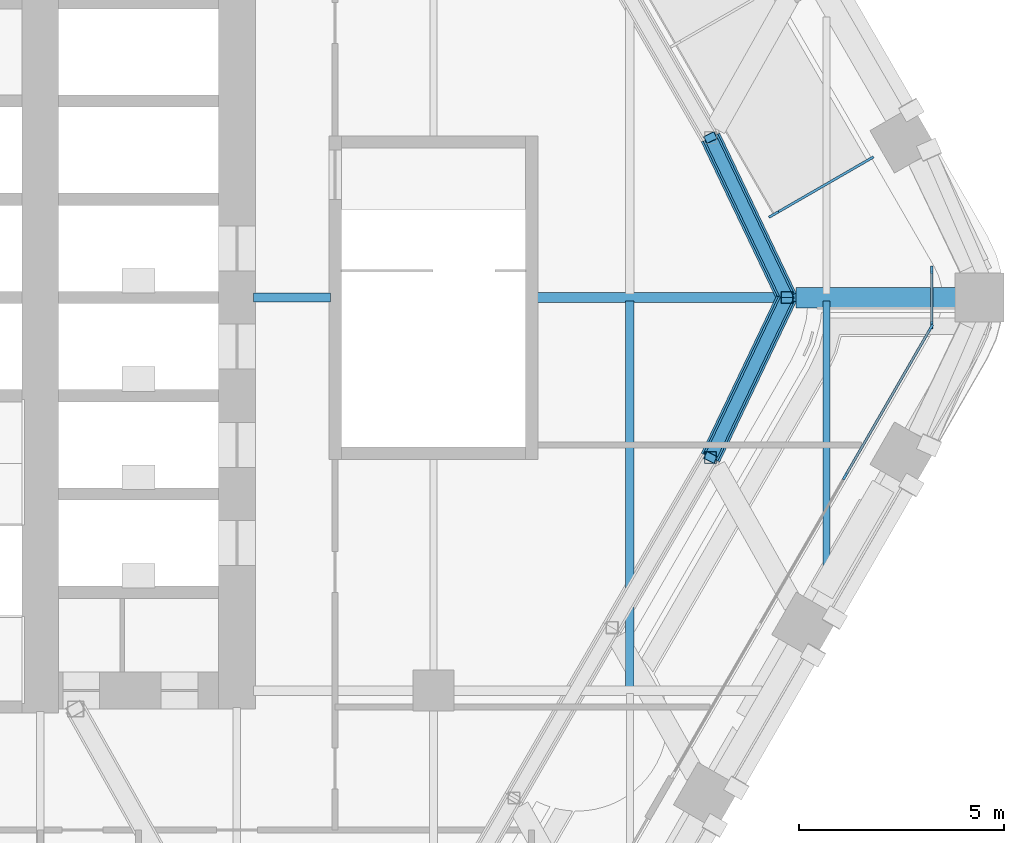
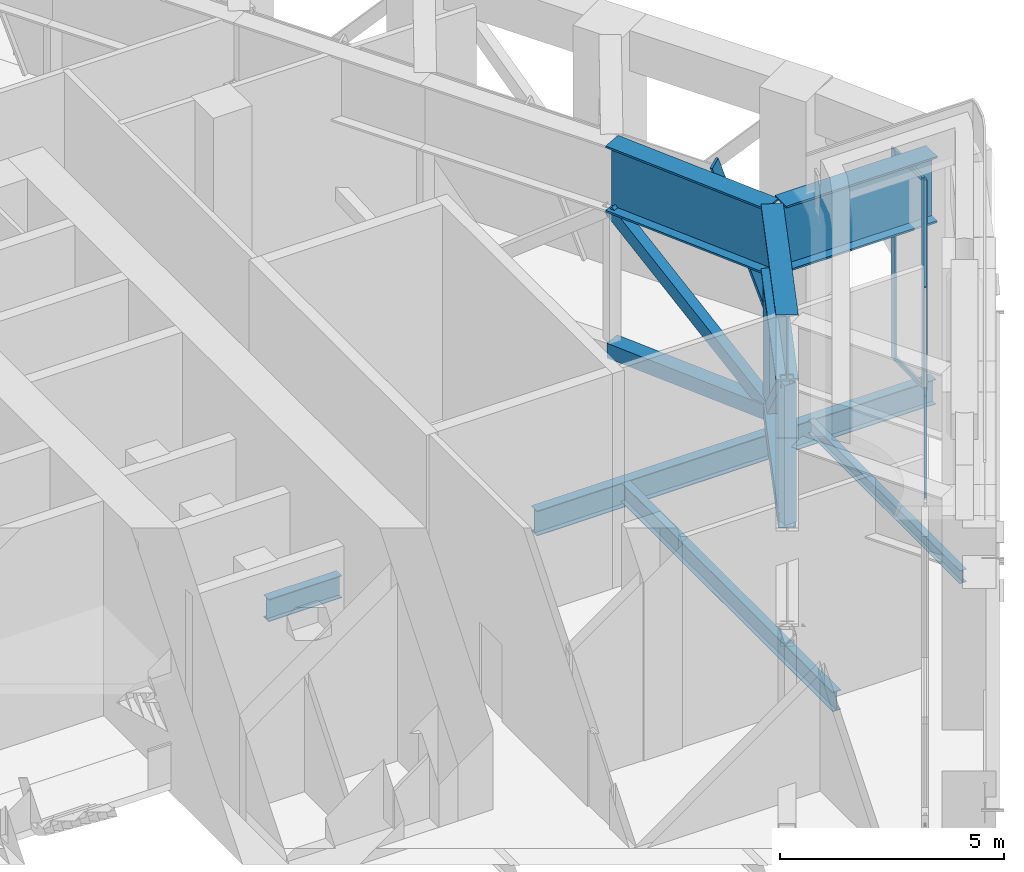
# One storey, part 7 of 27: 15 members, 7 beams, 3 elements without a shape of their own.
"""IFC4 building model written with IfcOpenShell, lengths in metres."""

from ifc_helpers import new_model, si_unit, direction, frame, origin, origin_2d, place, context, subcontext, project, spatial, rectangle, hollow_rectangle, i_section, extrude, material, material_profile, profile_set, type_object, element, aggregate, save


model = new_model("IFC4")

# Units and contexts
model_context = context("Model", 3, precision=1e-05, world=origin(), true_north=direction((0.0, 1.0)))
body_context = subcontext(model_context, "Body", "Model", "MODEL_VIEW")
ifc_project = project(units=[si_unit("LENGTHUNIT", "METRE"), si_unit("AREAUNIT", "SQUARE_METRE"), si_unit("VOLUMEUNIT", "CUBIC_METRE"), si_unit("PLANEANGLEUNIT", "RADIAN"), si_unit("MASSUNIT", "GRAM", prefix="KILO")], contexts=[model_context])

# Site, building, storey
site_placement = place(None, origin())
site = spatial("IfcSite", under=ifc_project, at=site_placement, CompositionType="ELEMENT")
building_placement = place(site_placement, origin())
building = spatial("IfcBuilding", under=site, at=building_placement, Name="Kolab Exchange Tower", CompositionType="ELEMENT")
storey_placement = place(building_placement, frame((0.0, 0.0, 127.39990234375)))
storey = spatial("IfcBuildingStorey", under=building, at=storey_placement, Name="L25", CompositionType="ELEMENT", Elevation=127.39990234375)

# Members
ifc_material_1 = material(Name="Steel S355", Category="steel")
ifc_material_profile_1 = material_profile(ifc_material_1, hollow_rectangle(XDim=0.300048828125, YDim=0.300048828125, WallThickness=0.01611328125, at=origin_2d()), Name="HSS300X300X16")
ifc_profile_set_1 = profile_set([ifc_material_profile_1], Name="Steel S355")
member_type_1 = type_object("IfcMemberType", Name="BELT TRUSS BRACE HSS300X300X16", PredefinedType="BRACE", material=ifc_profile_set_1)
for number, where, z_axis, x_axis, name in (
    (1, (25.967041015625, 3.906982421875, 4.050048828125), (0.324363166601, -0.678090627709, -0.659531376635), (0.902103692361, 0.43151932544, 0.0), "mem/L25/ring/d-F2-06"),
    (2, (27.8359375, 0.0, 0.25), (-0.324363166601, -0.678090627709, 0.659531376635), (0.902103692361, -0.43151932544, 0.0), "mem/L25/ring/d-F3-01"),
):
    element("IfcMember", number, at=place(storey_placement, frame(where, z_axis=z_axis, x_axis=x_axis)), inside=storey, type_object=member_type_1, Name=name, PredefinedType="BRACE", context=body_context, shape_type="SweptSolid", body=[
        extrude(hollow_rectangle(XDim=0.300048828125, YDim=0.300048828125, WallThickness=0.01611328125, at=origin_2d()), origin(), (0.0, 0.0, 1.0), 5.76171875),
    ])
ifc_material_profile_2 = material_profile(ifc_material_1, hollow_rectangle(XDim=0.39990234375, YDim=0.39990234375, WallThickness=0.02001953125, at=origin_2d()), Name="HSS400X400X20")
ifc_profile_set_2 = profile_set([ifc_material_profile_2], Name="Steel S355")
member_type_2 = type_object("IfcMemberType", Name="BELT TRUSS CHORD HSS400X400X20", PredefinedType="CHORD", material=ifc_profile_set_2)
for number, where, z_axis, x_axis, name in (
    (3, (25.967041015625, 3.906982421875, 0.25), (0.43151932544, -0.902103692361, 0.0), (0.902103692361, 0.43151932544, 0.0), "mem/L25/ring/c-F2-06"),
    (4, (27.8359375, 0.0, 0.25), (-0.43151932544, -0.902103692361, 0.0), (0.902103692361, -0.43151932544, 0.0), "mem/L25/ring/c-F3-01"),
):
    element("IfcMember", number, at=place(storey_placement, frame(where, z_axis=z_axis, x_axis=x_axis)), inside=storey, type_object=member_type_2, Name=name, PredefinedType="CHORD", context=body_context, shape_type="SweptSolid", body=[
        extrude(hollow_rectangle(XDim=0.39990234375, YDim=0.39990234375, WallThickness=0.02001953125, at=origin_2d()), origin(), (0.0, 0.0, 1.0), 4.3310546875),
    ])

# Beams
ifc_material_profile_3 = material_profile(ifc_material_1, i_section(OverallWidth=0.5, OverallDepth=1.800048828125, WebThickness=0.031982421875, FlangeThickness=0.050048828125, at=origin_2d()), Name="PG1800X500")
ifc_profile_set_3 = profile_set([ifc_material_profile_3], Name="Steel S355")
beam_type_1 = type_object("IfcBeamType", Name="BELT TRUSS GIRDER PG1800X500", PredefinedType="BEAM", material=ifc_profile_set_3)
for number, where, z_axis, x_axis, name in (
    (5, (25.967041015625, 3.906982421875, 4.9501953125), (0.43151932544, -0.902103692361, 0.0), (0.902103692361, 0.43151932544, 0.0), "beam/L25/bg/F2-out"),
    (6, (27.8359375, 0.0, 4.9501953125), (-0.43151932544, -0.902103692361, 0.0), (0.902103692361, -0.43151932544, 0.0), "beam/L25/bg/F3-in"),
):
    element("IfcBeam", number, at=place(storey_placement, frame(where, z_axis=z_axis, x_axis=x_axis)), inside=storey, type_object=beam_type_1, Name=name, PredefinedType="BEAM", context=body_context, shape_type="SweptSolid", body=[
        extrude(i_section(OverallWidth=0.5, OverallDepth=1.800048828125, WebThickness=0.031982421875, FlangeThickness=0.050048828125, at=origin_2d()), origin(), (0.0, 0.0, 1.0), 4.3310546875),
    ])

# Members
ifc_material_profile_4 = material_profile(ifc_material_1, hollow_rectangle(XDim=0.300048828125, YDim=0.300048828125, WallThickness=0.01611328125, at=origin_2d()), Name="HSS300X300X16")
ifc_profile_set_4 = profile_set([ifc_material_profile_4], Name="Steel S355")
member_type_3 = type_object("IfcMemberType", Name="BELT TRUSS POST HSS300X300X16", PredefinedType="POST", material=ifc_profile_set_4)
for number, where, z_axis, x_axis, name in (
    (7, (27.8359375, 0.0, 0.25), (0.0, 0.0, 1.0), (1.0, 0.0, 0.0), "mem/L25/ring/p-F3-01"),
    (8, (25.967041015625, -3.906982421875, 0.25), (0.0, 0.0, 1.0), (1.0, 0.0, 0.0), "mem/L25/ring/p-F3-02"),
):
    element("IfcMember", number, at=place(storey_placement, frame(where, z_axis=z_axis, x_axis=x_axis)), inside=storey, type_object=member_type_3, Name=name, PredefinedType="POST", context=body_context, shape_type="SweptSolid", body=[
        extrude(hollow_rectangle(XDim=0.300048828125, YDim=0.300048828125, WallThickness=0.01611328125, at=origin_2d()), origin(), (0.0, 0.0, 1.0), 3.800048828125),
    ])

# Curtain wall, member
ifc_material_2 = material(Name="Aluminium EN AW-6063 T6", Category="aluminium")
curtain_wall_type_1 = type_object("IfcCurtainWallType", Name="CANTED BAND CURTAIN WALL", PredefinedType="NOTDEFINED", material=ifc_material_2)
curtain_wall_1_placement = place(storey_placement, origin())
curtain_wall_1 = element("IfcCurtainWall", 9, at=curtain_wall_1_placement, inside=storey, type_object=curtain_wall_type_1, Name="band/L25/F2", PredefinedType="NOTDEFINED")
ifc_material_profile_5 = material_profile(ifc_material_2, rectangle(XDim=0.06005859375, YDim=0.300048828125, at=origin_2d()), Name="RECT 60X300")
ifc_profile_set_5 = profile_set([ifc_material_profile_5], Name="Aluminium EN AW-6063 T6")
member_type_4 = type_object("IfcMemberType", Name="CANTED BAND MULLION 60 X 300", PredefinedType="MULLION", material=ifc_profile_set_5)
member_1_placement = place(storey_placement, frame((29.831787109375, 3.366943359375, -0.099853515625), z_axis=(-0.355833859075, -0.205421357987, 0.911693111973), x_axis=(0.499964557259, -0.866045865693, 0.0)))
member_1 = element("IfcMember", 10, at=member_1_placement, type_object=member_type_4, Name="Band mullion", PredefinedType="MULLION", context=body_context, shape_type="SweptSolid", body=[
    extrude(rectangle(XDim=0.06005859375, YDim=0.300048828125, at=origin_2d()), origin(), (0.0, 0.0, 1.0), 6.515380859375),
])
aggregate(curtain_wall_1, [member_1])

# Beams
ifc_material_profile_6 = material_profile(ifc_material_1, i_section(OverallWidth=0.1708984375, OverallDepth=0.35498046875, WebThickness=0.007080078125, FlangeThickness=0.01171875, at=origin_2d()), Name="W360X51")
ifc_profile_set_6 = profile_set([ifc_material_profile_6], Name="Steel S355")
beam_type_2 = type_object("IfcBeamType", Name="FLOOR BEAM W360X51", PredefinedType="BEAM", material=ifc_profile_set_6)
beam_1_placement = place(storey_placement, frame((28.800048828125, -6.853759765625, -0.477294921875), z_axis=(0.0, 1.0, 0.0), x_axis=(-1.0, 0.0, 0.0)))
element("IfcBeam", 11, at=beam_1_placement, inside=storey, type_object=beam_type_2, Name="beam/L25/fr/050", PredefinedType="BEAM", context=body_context, shape_type="SweptSolid", body=[
    extrude(i_section(OverallWidth=0.1708984375, OverallDepth=0.35498046875, WebThickness=0.007080078125, FlangeThickness=0.01171875, at=origin_2d()), origin(), (0.0, 0.0, 1.0), 6.766845703125),
])
ifc_material_profile_7 = material_profile(ifc_material_1, i_section(OverallWidth=0.208984375, OverallDepth=0.532958984375, WebThickness=0.01025390625, FlangeThickness=0.015625, at=origin_2d()), Name="W530X92")
ifc_profile_set_7 = profile_set([ifc_material_profile_7], Name="Steel S355")
beam_type_3 = type_object("IfcBeamType", Name="FLOOR BEAM W530X92", PredefinedType="BEAM", material=ifc_profile_set_7)
beam_2_placement = place(storey_placement, frame((24.0, -9.52587890625, -0.56640625), z_axis=(0.0, 1.0, 0.0), x_axis=(-1.0, 0.0, 0.0)))
element("IfcBeam", 12, at=beam_2_placement, inside=storey, type_object=beam_type_3, Name="beam/L25/fr/047", PredefinedType="BEAM", context=body_context, shape_type="SweptSolid", body=[
    extrude(i_section(OverallWidth=0.208984375, OverallDepth=0.532958984375, WebThickness=0.01025390625, FlangeThickness=0.015625, at=origin_2d()), origin(), (0.0, 0.0, 1.0), 9.43896484375),
])
ifc_material_profile_8 = material_profile(ifc_material_1, i_section(OverallWidth=0.22802734375, OverallDepth=0.60791015625, WebThickness=0.01123046875, FlangeThickness=0.017333984375, at=origin_2d()), Name="W610X113")
ifc_profile_set_8 = profile_set([ifc_material_profile_8], Name="Steel S355")
beam_type_4 = type_object("IfcBeamType", Name="FLOOR GIRDER W610X113", PredefinedType="BEAM", material=ifc_profile_set_8)
beam_3_placement = place(storey_placement, frame((14.81005859375, 0.0, -0.60400390625), z_axis=(1.0, 0.0, 0.0), x_axis=(0.0, 1.0, 0.0)))
element("IfcBeam", 13, at=beam_3_placement, inside=storey, type_object=beam_type_4, Name="beam/L25/gd/015", PredefinedType="BEAM", context=body_context, shape_type="SweptSolid", body=[
    extrude(i_section(OverallWidth=0.22802734375, OverallDepth=0.60791015625, WebThickness=0.01123046875, FlangeThickness=0.017333984375, at=origin_2d()), origin(), (0.0, 0.0, 1.0), 1.8798828125),
])
ifc_material_profile_9 = material_profile(ifc_material_1, i_section(OverallWidth=0.25390625, OverallDepth=0.68408203125, WebThickness=0.012451171875, FlangeThickness=0.018798828125, at=origin_2d()), Name="W690X140")
ifc_profile_set_9 = profile_set([ifc_material_profile_9], Name="Steel S355")
beam_type_5 = type_object("IfcBeamType", Name="FLOOR GIRDER W690X140", PredefinedType="BEAM", material=ifc_profile_set_9)
beam_4_placement = place(storey_placement, frame((21.7099609375, 0.0, -0.641845703125), z_axis=(1.0, 0.0, 0.0), x_axis=(0.0, 1.0, 0.0)))
element("IfcBeam", 14, at=beam_4_placement, inside=storey, type_object=beam_type_5, Name="beam/L25/gd/019", PredefinedType="BEAM", context=body_context, shape_type="SweptSolid", body=[
    extrude(i_section(OverallWidth=0.25390625, OverallDepth=0.68408203125, WebThickness=0.012451171875, FlangeThickness=0.018798828125, at=origin_2d()), origin(), (0.0, 0.0, 1.0), 10.265869140625),
])
ifc_material_profile_10 = material_profile(ifc_material_1, i_section(OverallWidth=0.5, OverallDepth=1.800048828125, WebThickness=0.031982421875, FlangeThickness=0.050048828125, at=origin_2d()), Name="PG1800X500")
ifc_profile_set_10 = profile_set([ifc_material_profile_10], Name="Steel S355")
beam_type_6 = type_object("IfcBeamType", Name="TRANSFER GIRDER PG1800X500", PredefinedType="BEAM", material=ifc_profile_set_10)
beam_5_placement = place(storey_placement, frame((28.055908203125, 0.0, 4.9501953125), z_axis=(1.0, 0.0, 0.0), x_axis=(0.0, 1.0, 0.0)))
element("IfcBeam", 15, at=beam_5_placement, inside=storey, type_object=beam_type_6, Name="beam/L25/tg/F3-01", PredefinedType="BEAM", context=body_context, shape_type="SweptSolid", body=[
    extrude(i_section(OverallWidth=0.5, OverallDepth=1.800048828125, WebThickness=0.031982421875, FlangeThickness=0.050048828125, at=origin_2d()), origin(), (0.0, 0.0, 1.0), 3.889892578125),
])

# Curtain wall, members
curtain_wall_type_2 = type_object("IfcCurtainWallType", Name="UNITISED LOWER MID ZONE BELT CURTAIN WALL", PredefinedType="NOTDEFINED", material=ifc_material_2)
curtain_wall_2_placement = place(storey_placement, origin())
curtain_wall_2 = element("IfcCurtainWall", 16, at=curtain_wall_2_placement, inside=storey, type_object=curtain_wall_type_2, Name="cw/L25/F3-1", PredefinedType="NOTDEFINED")
ifc_material_profile_11 = material_profile(ifc_material_2, rectangle(XDim=0.06005859375, YDim=0.179931640625, at=origin_2d()), Name="RECT 60X180")
ifc_profile_set_11 = profile_set([ifc_material_profile_11], Name="Aluminium EN AW-6063 T6")
member_type_5 = type_object("IfcMemberType", Name="UNITISED LOWER MID ZONE BELT MULLION 60 X 180", PredefinedType="MULLION", material=ifc_profile_set_11)
member_2_placement = place(storey_placement, frame((31.3505859375, -0.736083984375, 0.0), z_axis=(0.0, 0.0, 1.0), x_axis=(0.866025427826, -0.499999958358, 0.0)))
member_2 = element("IfcMember", 17, at=member_2_placement, type_object=member_type_5, Name="CW10 mullion 1", PredefinedType="MULLION", context=body_context, shape_type="SweptSolid", body=[
    extrude(rectangle(XDim=0.06005859375, YDim=0.179931640625, at=origin_2d()), origin(), (0.0, 0.0, 1.0), 5.7001953125),
])
member_3_placement = place(storey_placement, frame((29.25439453125, -4.366943359375, 0.0), z_axis=(0.0, 0.0, 1.0), x_axis=(0.866025427826, -0.499999958358, 0.0)))
member_3 = element("IfcMember", 18, at=member_3_placement, type_object=member_type_5, Name="CW10 mullion 2", PredefinedType="MULLION", context=body_context, shape_type="SweptSolid", body=[
    extrude(rectangle(XDim=0.06005859375, YDim=0.179931640625, at=origin_2d()), origin(), (0.0, 0.0, 1.0), 5.7001953125),
])

curtain_wall_3_placement = place(storey_placement, origin())
curtain_wall_3 = element("IfcCurtainWall", 19, at=curtain_wall_3_placement, inside=storey, type_object=curtain_wall_type_2, Name="cw/L25/F2F3-corner", PredefinedType="NOTDEFINED")
member_4_placement = place(storey_placement, frame((31.36572265625, 0.679931640625, 0.0), z_axis=(0.0, 0.0, 1.0), x_axis=(1.0, 0.0, 0.0)))
member_4 = element("IfcMember", 20, at=member_4_placement, type_object=member_type_5, Name="CW10 mullion 1", PredefinedType="MULLION", context=body_context, shape_type="SweptSolid", body=[
    extrude(rectangle(XDim=0.06005859375, YDim=0.179931640625, at=origin_2d()), origin(), (0.0, 0.0, 1.0), 5.7001953125),
])
member_5_placement = place(storey_placement, frame((31.36572265625, -0.679931640625, 0.0), z_axis=(0.0, 0.0, 1.0), x_axis=(1.0, 0.0, 0.0)))
member_5 = element("IfcMember", 21, at=member_5_placement, type_object=member_type_5, Name="CW10 mullion 2", PredefinedType="MULLION", context=body_context, shape_type="SweptSolid", body=[
    extrude(rectangle(XDim=0.06005859375, YDim=0.179931640625, at=origin_2d()), origin(), (0.0, 0.0, 1.0), 5.7001953125),
])

# Member
ifc_material_profile_12 = material_profile(ifc_material_2, rectangle(XDim=0.06005859375, YDim=0.1201171875, at=origin_2d()), Name="RECT 60X120")
ifc_profile_set_12 = profile_set([ifc_material_profile_12], Name="Aluminium EN AW-6063 T6")
member_type_6 = type_object("IfcMemberType", Name="UNITISED LOWER MID ZONE BELT TRANSOM 60 X 120", PredefinedType="USERDEFINED", material=ifc_profile_set_12)
member_6_placement = place(storey_placement, frame((31.335693359375, -0.761962890625, 0.030029296875), z_axis=(-0.500027577057, -0.866009481578, 0.0), x_axis=(0.866009481578, -0.500027577057, 0.0)))
member_6 = element("IfcMember", 22, at=member_6_placement, type_object=member_type_6, Name="CW10 transom 1.1", ObjectType="TRANSOM", PredefinedType="USERDEFINED", context=body_context, shape_type="SweptSolid", body=[
    extrude(rectangle(XDim=0.06005859375, YDim=0.1201171875, at=origin_2d()), origin(), (0.0, 0.0, 1.0), 4.132568359375),
])

member_7_placement = place(storey_placement, frame((31.335693359375, -0.761962890625, 5.670166015625), z_axis=(-0.500027577057, -0.866009481578, 0.0), x_axis=(0.866009481578, -0.500027577057, 0.0)))
member_7 = element("IfcMember", 23, at=member_7_placement, type_object=member_type_6, Name="CW10 transom 1.2", ObjectType="TRANSOM", PredefinedType="USERDEFINED", context=body_context, shape_type="SweptSolid", body=[
    extrude(rectangle(XDim=0.06005859375, YDim=0.1201171875, at=origin_2d()), origin(), (0.0, 0.0, 1.0), 4.132568359375),
])

aggregate(curtain_wall_2, [member_2, member_3, member_6, member_7])

member_8_placement = place(storey_placement, frame((31.36572265625, 0.64990234375, 0.030029296875), z_axis=(0.0, -1.0, 0.0), x_axis=(1.0, 0.0, 0.0)))
member_8 = element("IfcMember", 24, at=member_8_placement, type_object=member_type_6, Name="CW10 transom 1.1", ObjectType="TRANSOM", PredefinedType="USERDEFINED", context=body_context, shape_type="SweptSolid", body=[
    extrude(rectangle(XDim=0.06005859375, YDim=0.1201171875, at=origin_2d()), origin(), (0.0, 0.0, 1.0), 1.2998046875),
])

member_9_placement = place(storey_placement, frame((31.36572265625, 0.64990234375, 5.670166015625), z_axis=(0.0, -1.0, 0.0), x_axis=(1.0, 0.0, 0.0)))
member_9 = element("IfcMember", 25, at=member_9_placement, type_object=member_type_6, Name="CW10 transom 1.2", ObjectType="TRANSOM", PredefinedType="USERDEFINED", context=body_context, shape_type="SweptSolid", body=[
    extrude(rectangle(XDim=0.06005859375, YDim=0.1201171875, at=origin_2d()), origin(), (0.0, 0.0, 1.0), 1.2998046875),
])

aggregate(curtain_wall_3, [member_4, member_5, member_8, member_9])

save(model, "model.ifc")
